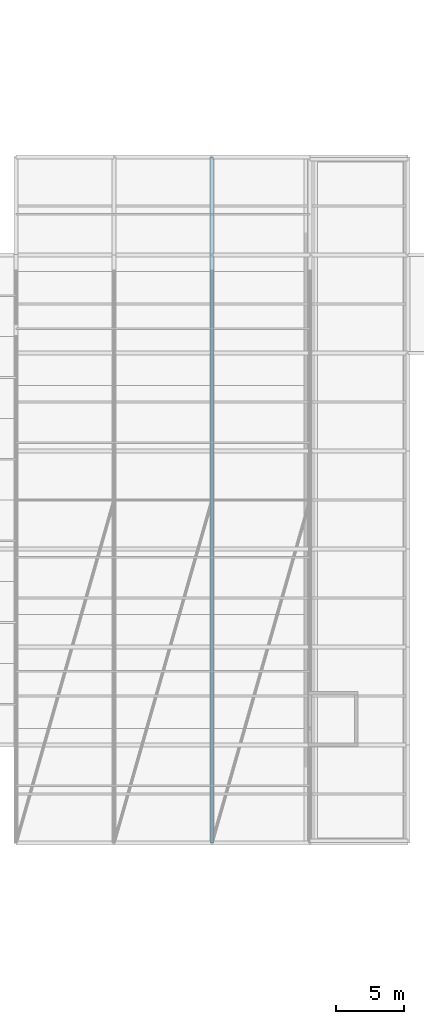
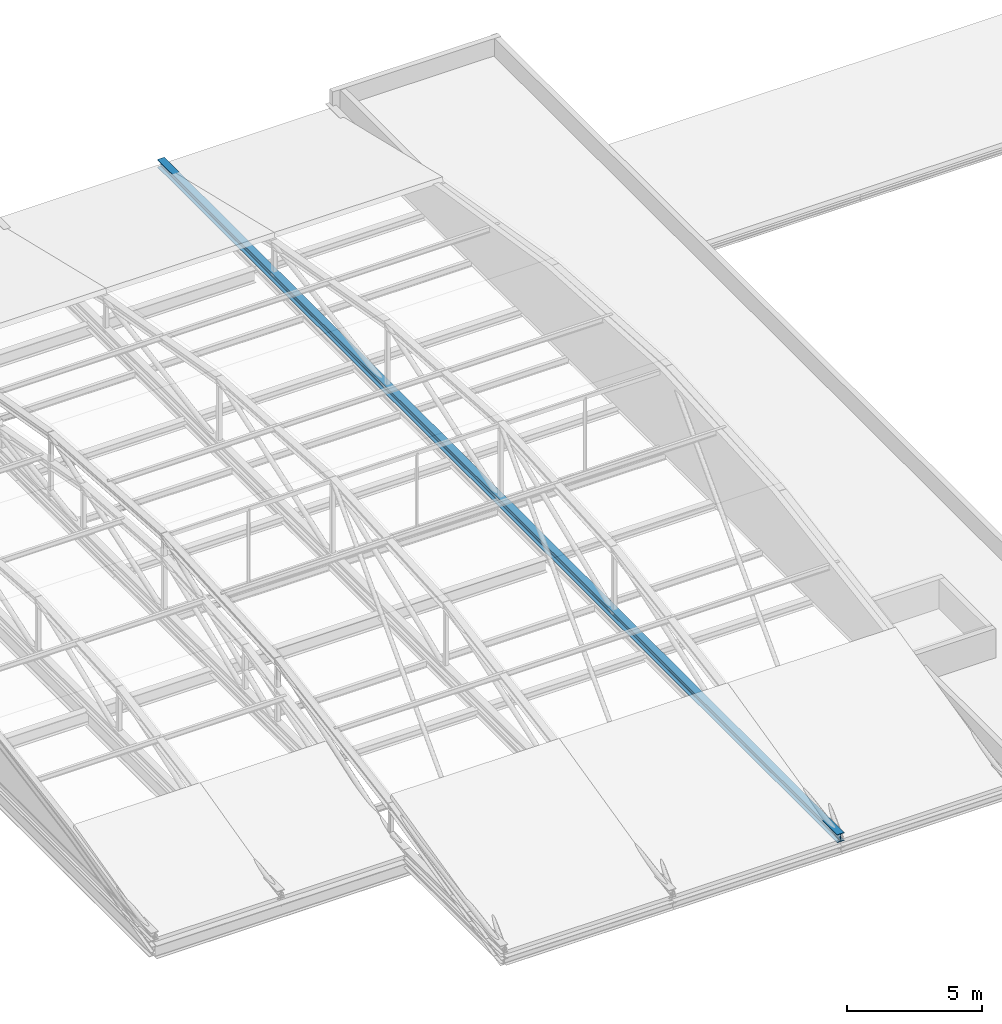
# One storey, part 33 of 76: 1 member.
"""IFC4 building model written with IfcOpenShell, lengths in metres."""

from ifc_helpers import new_model, si_unit, direction, frame, origin, origin_2d, place, context, subcontext, project, spatial, i_section, extrude, material, material_profile, profile_set, type_object, element, save


model = new_model("IFC4")

# Units and contexts
model_context = context("Model", 3, precision=1e-05, world=origin(), true_north=direction((0.0, 1.0)))
body_context = subcontext(model_context, "Body", "Model", "MODEL_VIEW")
ifc_project = project(units=[si_unit("LENGTHUNIT", "METRE"), si_unit("AREAUNIT", "SQUARE_METRE"), si_unit("VOLUMEUNIT", "CUBIC_METRE"), si_unit("PLANEANGLEUNIT", "RADIAN"), si_unit("MASSUNIT", "GRAM", prefix="KILO")], contexts=[model_context])

# Site, building, storey
site_placement = place(None, origin())
site = spatial("IfcSite", under=ifc_project, at=site_placement, CompositionType="ELEMENT")
building_placement = place(site_placement, origin())
building = spatial("IfcBuilding", under=site, at=building_placement, Name="Zlatovets Crest Museum", CompositionType="ELEMENT")
storey_placement = place(building_placement, frame((0.0, 0.0, 17.10009765625)))
storey = spatial("IfcBuildingStorey", under=building, at=storey_placement, Name="L04", CompositionType="ELEMENT", Elevation=17.10009765625)

# Member
ifc_material = material(Name="Structural steel S355J2", Category="steel")
ifc_material_profile = material_profile(ifc_material, i_section(OverallWidth=0.300048828125, OverallDepth=0.360107421875, WebThickness=0.012451171875, FlangeThickness=0.0224609375, FilletRadius=0.027099609375, at=origin_2d()), Name="HEB 360")
ifc_profile_set = profile_set([ifc_material_profile], Name="Structural steel S355J2")
member_type = type_object("IfcMemberType", Name="Member_TM-01", PredefinedType="CHORD", material=ifc_profile_set)
member_placement = place(storey_placement, frame((21.60009765625, 50.39990234375, 0.079833984375), z_axis=(0.0, 1.0, 0.0), x_axis=(-1.0, 0.0, 0.0)))
element("IfcMember", 1, at=member_placement, inside=storey, type_object=member_type, Name="V4 Art Nouveau Barrel Vault Tie Chord", PredefinedType="CHORD", context=body_context, shape_type="SweptSolid", body=[
    extrude(i_section(OverallWidth=0.300048828125, OverallDepth=0.360107421875, WebThickness=0.012451171875, FlangeThickness=0.0224609375, FilletRadius=0.027099609375, at=origin_2d()), origin(), (0.0, 0.0, 1.0), 50.400146484375),
])

save(model, "model.ifc")
